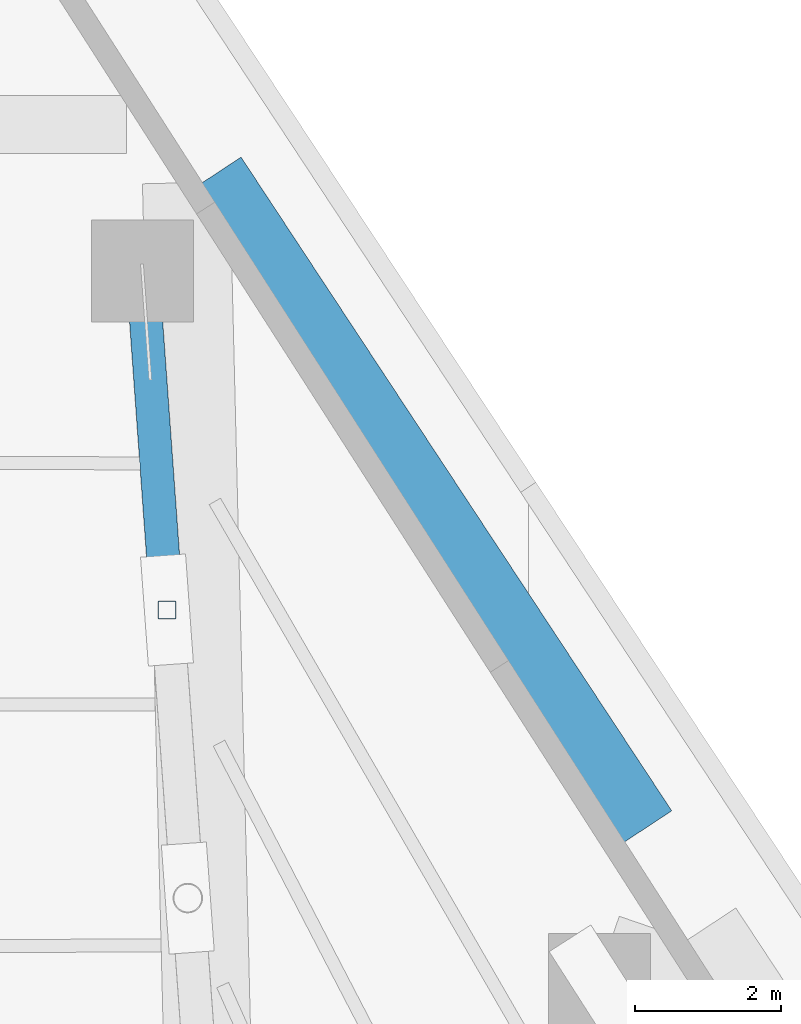
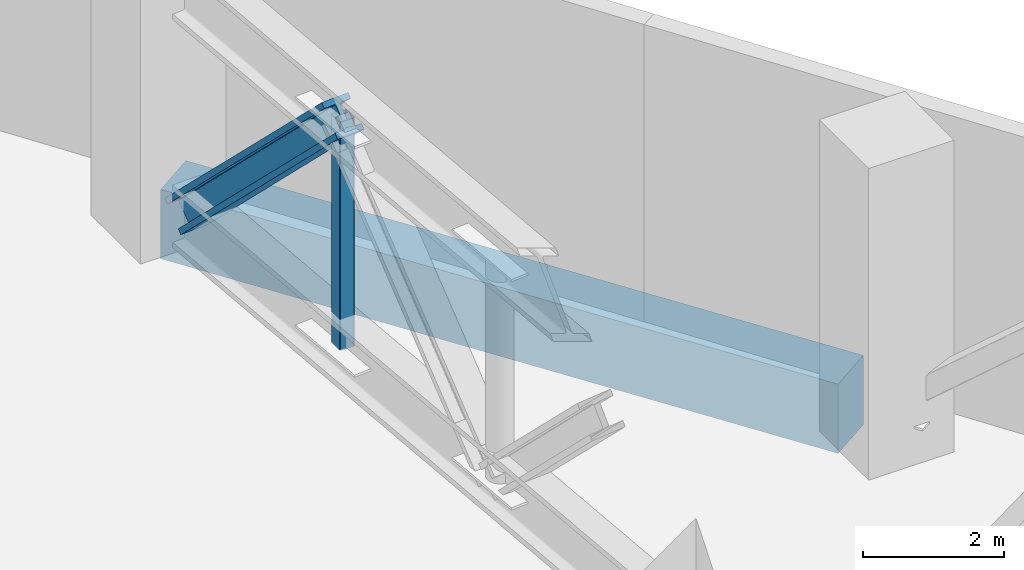
# One storey, part 6 of 12: 2 members, 1 beam.
"""IFC4 building model written with IfcOpenShell, lengths in metres."""

from ifc_helpers import new_model, si_unit, direction, frame, origin, origin_2d, place, context, subcontext, project, spatial, rectangle, hollow_rectangle, i_section, extrude, material, material_profile, profile_set, type_object, element, save


model = new_model("IFC4")

# Units and contexts
model_context = context("Model", 3, precision=1e-05, world=origin(), true_north=direction((0.0, 1.0)))
body_context = subcontext(model_context, "Body", "Model", "MODEL_VIEW")
ifc_project = project(units=[si_unit("LENGTHUNIT", "METRE"), si_unit("AREAUNIT", "SQUARE_METRE"), si_unit("VOLUMEUNIT", "CUBIC_METRE"), si_unit("PLANEANGLEUNIT", "RADIAN"), si_unit("MASSUNIT", "GRAM", prefix="KILO")], contexts=[model_context])

# Site, building, storey
site_placement = place(None, origin())
site = spatial("IfcSite", under=ifc_project, at=site_placement, CompositionType="ELEMENT")
building_placement = place(site_placement, origin())
building = spatial("IfcBuilding", under=site, at=building_placement, Name="Almagre Mirador Tower", CompositionType="ELEMENT")
storey_placement = place(building_placement, frame((0.0, 0.0, 26.39990234375)))
storey = spatial("IfcBuildingStorey", under=building, at=storey_placement, Name="L05", CompositionType="ELEMENT", Elevation=26.39990234375)

# Beam
ifc_material_1 = material(Name="Precast concrete C50/60", Category="concrete")
ifc_material_profile_1 = material_profile(ifc_material_1, rectangle(XDim=0.800048828125, YDim=1.199951171875, at=origin_2d()), Name="RC800X1200")
ifc_profile_set_1 = profile_set([ifc_material_profile_1], Name="Precast concrete C50/60")
beam_type = type_object("IfcBeamType", Name="BM-SPN-RC800X1200", PredefinedType="SPANDREL", material=ifc_profile_set_1)
beam_placement = place(storey_placement, frame((48.837890625, 31.736083984375, -0.89990234375), z_axis=(-0.550214843465, 0.835023129039, 0.0), x_axis=(-0.835023129039, -0.550214843465, 0.0)))
element("IfcBeam", 1, at=beam_placement, inside=storey, type_object=beam_type, Name="L05 perimeter spandrel beam PC07-PC08", PredefinedType="SPANDREL", context=body_context, shape_type="SweptSolid", body=[
    extrude(rectangle(XDim=0.800048828125, YDim=1.199951171875, at=origin_2d()), origin(), (0.0, 0.0, 1.0), 10.7587890625),
])

# Members
ifc_material_2 = material(Name="Steel ASTM A913 Grade 65", Category="steel")
ifc_material_profile_2 = material_profile(ifc_material_2, i_section(OverallWidth=0.4541015625, OverallDepth=0.570068359375, WebThickness=0.077880859375, FlangeThickness=0.093994140625, FilletRadius=0.02001953125, at=origin_2d()), Name="W14X730")
ifc_profile_set_2 = profile_set([ifc_material_profile_2], Name="Steel ASTM A913 Grade 65")
member_type_1 = type_object("IfcMemberType", Name="MBR-BRC-W14X730", PredefinedType="BRACE", material=ifc_profile_set_2)
member_1_placement = place(storey_placement, frame((41.948486328125, 38.6748046875, 0.650146484375), z_axis=(0.051056307173, -0.706380563828, 0.70598849321), x_axis=(0.99739808116, 0.072090690788, 0.0)))
element("IfcMember", 2, at=member_1_placement, inside=storey, type_object=member_type_1, Name="L05 outrigger truss 3 diagonal 1", PredefinedType="BRACE", context=body_context, shape_type="SweptSolid", body=[
    extrude(i_section(OverallWidth=0.4541015625, OverallDepth=0.570068359375, WebThickness=0.077880859375, FlangeThickness=0.093994140625, FilletRadius=0.02001953125, at=origin_2d()), origin(), (0.0, 0.0, 1.0), 5.604248046875),
])
ifc_material_3 = material(Name="Steel ASTM A500 Grade C", Category="steel")
ifc_material_profile_3 = material_profile(ifc_material_3, hollow_rectangle(XDim=0.25, YDim=0.25, WallThickness=0.010009765625, InnerFilletRadius=0.010009765625, OuterFilletRadius=0.02001953125, at=origin_2d()), Name="HSS250X250X10")
ifc_profile_set_3 = profile_set([ifc_material_profile_3], Name="Steel ASTM A500 Grade C")
member_type_2 = type_object("IfcMemberType", Name="MBR-STR-HSS250", PredefinedType="STRUT", material=ifc_profile_set_3)
member_2_placement = place(storey_placement, frame((42.234619140625, 34.716064453125, 0.650146484375), z_axis=(0.0, 0.0, 1.0), x_axis=(1.0, 0.0, 0.0)))
element("IfcMember", 3, at=member_2_placement, inside=storey, type_object=member_type_2, Name="L05 outrigger vertical post strut 3.1", PredefinedType="STRUT", context=body_context, shape_type="SweptSolid", body=[
    extrude(hollow_rectangle(XDim=0.25, YDim=0.25, WallThickness=0.010009765625, InnerFilletRadius=0.010009765625, OuterFilletRadius=0.02001953125, at=origin_2d()), origin(), (0.0, 0.0, 1.0), 3.95654296875),
])

save(model, "model.ifc")
